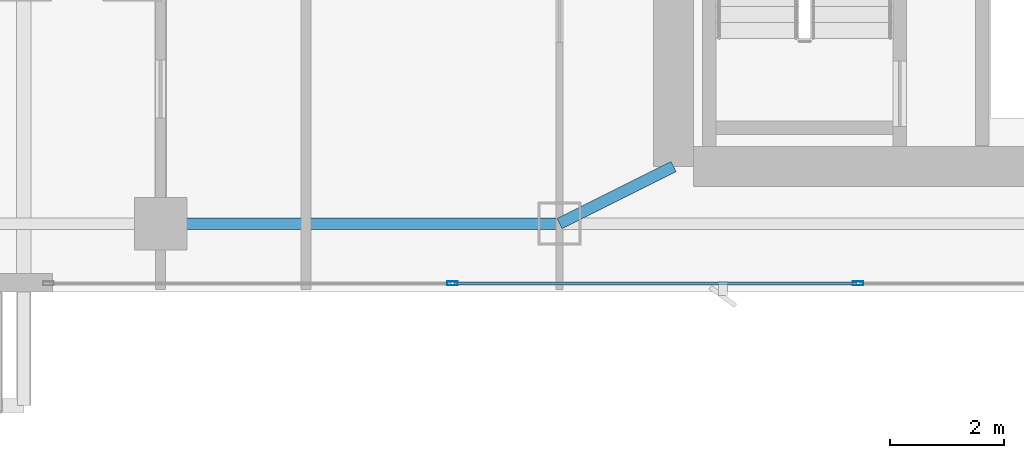
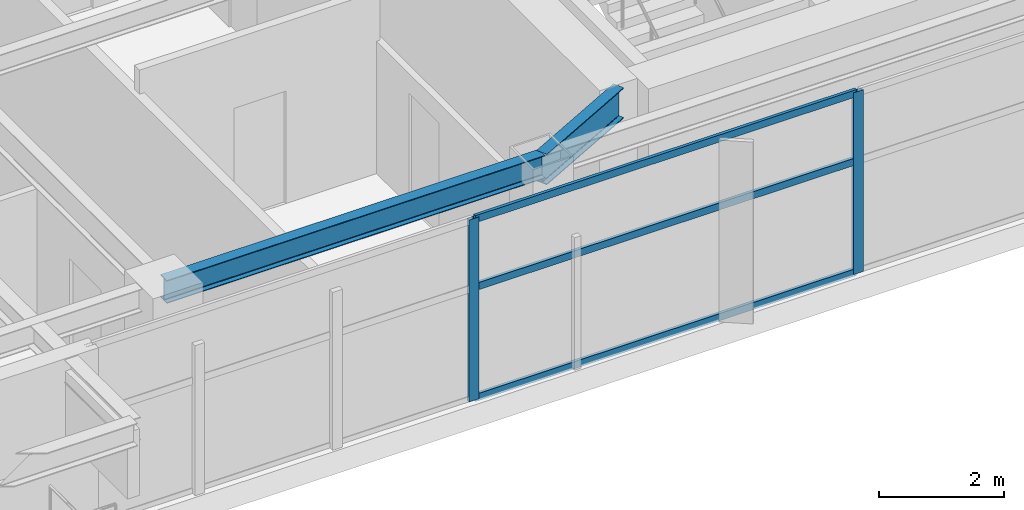
# One storey, part 6 of 28: 5 members, 2 beams, 1 element without a shape of its own.
"""IFC4 building model written with IfcOpenShell, lengths in metres."""

from ifc_helpers import new_model, si_unit, direction, frame, origin, origin_2d, place, context, subcontext, project, spatial, hollow_rectangle, i_section, extrude, material, layer, layer_set, material_profile, profile_set, type_object, element, aggregate, save


model = new_model("IFC4")

# Units and contexts
model_context = context("Model", 3, precision=1e-05, world=origin(), true_north=direction((0.0, 1.0)))
body_context = subcontext(model_context, "Body", "Model", "MODEL_VIEW")
ifc_project = project(units=[si_unit("LENGTHUNIT", "METRE"), si_unit("AREAUNIT", "SQUARE_METRE"), si_unit("VOLUMEUNIT", "CUBIC_METRE"), si_unit("PLANEANGLEUNIT", "RADIAN"), si_unit("MASSUNIT", "GRAM", prefix="KILO")], contexts=[model_context])

# Site, building, storey
site_placement = place(None, origin())
site = spatial("IfcSite", under=ifc_project, at=site_placement, CompositionType="ELEMENT")
building_placement = place(site_placement, origin())
building = spatial("IfcBuilding", under=site, at=building_placement, Name="Calvorn Quay Hotel", CompositionType="ELEMENT")
storey_placement = place(building_placement, frame((0.0, 0.0, 219.300048828125)))
storey = spatial("IfcBuildingStorey", under=building, at=storey_placement, Name="L54", CompositionType="ELEMENT", Elevation=219.300048828125)

# Beams
ifc_material_1 = material(Name="Steel Q355B", Category="steel")
ifc_material_profile_1 = material_profile(ifc_material_1, i_section(OverallWidth=0.199951171875, OverallDepth=0.60009765625, WebThickness=0.010986328125, FlangeThickness=0.01708984375, FilletRadius=0.01806640625, at=origin_2d()), Name="HN600x200x11x17")
ifc_profile_set_1 = profile_set([ifc_material_profile_1], Name="Steel Q355B")
beam_type_1 = type_object("IfcBeamType", Name="BM-GIRD-TYP", PredefinedType="BEAM", material=ifc_profile_set_1)
beam_1_placement = place(storey_placement, frame((19.60009765625, 3.60009765625, 3.239990234375), z_axis=(0.894427191, 0.4472135955, 0.0), x_axis=(-0.4472135955, 0.894427191, 0.0)))
element("IfcBeam", 1, at=beam_1_placement, inside=storey, type_object=beam_type_1, Name="Beam BG-L54-S2", PredefinedType="BEAM", context=body_context, shape_type="SweptSolid", body=[
    extrude(i_section(OverallWidth=0.199951171875, OverallDepth=0.60009765625, WebThickness=0.010986328125, FlangeThickness=0.01708984375, FilletRadius=0.01806640625, at=origin_2d()), origin(), (0.0, 0.0, 1.0), 2.236083984375),
])
ifc_material_2 = material(Name="Steel Q355B", Category="steel")
ifc_material_profile_2 = material_profile(ifc_material_2, i_section(OverallWidth=0.199951171875, OverallDepth=0.449951171875, WebThickness=0.009033203125, FlangeThickness=0.013916015625, FilletRadius=0.01611328125, at=origin_2d()), Name="HN450x200x9x14")
ifc_profile_set_2 = profile_set([ifc_material_profile_2], Name="Steel Q355B")
beam_type_2 = type_object("IfcBeamType", Name="BM-SPANDREL-Z3", PredefinedType="SPANDREL", material=ifc_profile_set_2)
beam_2_placement = place(storey_placement, frame((12.60009765625, 3.60009765625, 3.31494140625), z_axis=(1.0, 0.0, 0.0), x_axis=(0.0, 1.0, 0.0)))
element("IfcBeam", 2, at=beam_2_placement, inside=storey, type_object=beam_type_2, Name="Beam BSP-L54-S2", PredefinedType="SPANDREL", context=body_context, shape_type="SweptSolid", body=[
    extrude(i_section(OverallWidth=0.199951171875, OverallDepth=0.449951171875, WebThickness=0.009033203125, FlangeThickness=0.013916015625, FilletRadius=0.01611328125, at=origin_2d()), origin(), (0.0, 0.0, 1.0), 7.0),
])

# Curtain wall, members
ifc_material_3 = material(Name="Champagne Bronze Anodised Aluminium and Low-E Glass", Category="aluminium")
ifc_layer = layer(ifc_material_3, 0.219970703125)
ifc_layer_set = layer_set([ifc_layer], Name="CW-SYS-Z3")
curtain_wall_type = type_object("IfcCurtainWallType", Name="CW-SYS-Z3", PredefinedType="NOTDEFINED", material=ifc_layer_set)
curtain_wall_placement = place(storey_placement, origin())
curtain_wall = element("IfcCurtainWall", 3, at=curtain_wall_placement, inside=storey, type_object=curtain_wall_type, Name="Tower South Waterfront Curtain Wall (L54)", PredefinedType="NOTDEFINED")
ifc_material_4 = material(Name="Champagne Bronze Anodised Aluminium 6063-T6", Category="aluminium")
ifc_material_profile_3 = material_profile(ifc_material_4, hollow_rectangle(XDim=0.068115234375, YDim=0.18505859375, WallThickness=0.00390625, at=origin_2d()), Name="ALU-M185x68x4")
ifc_profile_set_3 = profile_set([ifc_material_profile_3], Name="Champagne Bronze Anodised Aluminium 6063-T6")
member_type_1 = type_object("IfcMemberType", Name="CW-SYS-Z3-MUL", PredefinedType="MULLION", material=ifc_profile_set_3)
member_1_placement = place(storey_placement, frame((17.719970703125, 2.550048828125, 0.0), z_axis=(0.0, 0.0, 1.0), x_axis=(0.0, 1.0, 0.0)))
member_1 = element("IfcMember", 4, at=member_1_placement, type_object=member_type_1, Name="CW-L54-S mullion 2", PredefinedType="MULLION", context=body_context, shape_type="SweptSolid", body=[
    extrude(hollow_rectangle(XDim=0.068115234375, YDim=0.18505859375, WallThickness=0.00390625, at=origin_2d()), origin(), (0.0, 0.0, 1.0), 3.56005859375),
])
member_2_placement = place(storey_placement, frame((24.840087890625, 2.550048828125, 0.0), z_axis=(0.0, 0.0, 1.0), x_axis=(0.0, 1.0, 0.0)))
member_2 = element("IfcMember", 5, at=member_2_placement, type_object=member_type_1, Name="CW-L54-S mullion 3", PredefinedType="MULLION", context=body_context, shape_type="SweptSolid", body=[
    extrude(hollow_rectangle(XDim=0.068115234375, YDim=0.18505859375, WallThickness=0.00390625, at=origin_2d()), origin(), (0.0, 0.0, 1.0), 3.56005859375),
])
ifc_material_5 = material(Name="Champagne Bronze Anodised Aluminium 6063-T6", Category="aluminium")
ifc_material_profile_4 = material_profile(ifc_material_5, hollow_rectangle(XDim=0.05810546875, YDim=0.139892578125, WallThickness=0.003173828125, at=origin_2d()), Name="ALU-T140x58x3.2")
ifc_profile_set_4 = profile_set([ifc_material_profile_4], Name="Champagne Bronze Anodised Aluminium 6063-T6")
member_type_2 = type_object("IfcMemberType", Name="CW-SYS-Z3-TRN", PredefinedType="USERDEFINED", material=ifc_profile_set_4)
member_3_placement = place(storey_placement, frame((17.75, 2.550048828125, 0.030029296875), z_axis=(1.0, 0.0, 0.0), x_axis=(0.0, 1.0, 0.0)))
member_3 = element("IfcMember", 6, at=member_3_placement, type_object=member_type_2, Name="CW-L54-S transom 2.1", ObjectType="TRANSOM", PredefinedType="USERDEFINED", context=body_context, shape_type="SweptSolid", body=[
    extrude(hollow_rectangle(XDim=0.05810546875, YDim=0.139892578125, WallThickness=0.003173828125, at=origin_2d()), origin(), (0.0, 0.0, 1.0), 7.06005859375),
])
member_4_placement = place(storey_placement, frame((17.75, 2.550048828125, 2.199951171875), z_axis=(1.0, 0.0, 0.0), x_axis=(0.0, 1.0, 0.0)))
member_4 = element("IfcMember", 7, at=member_4_placement, type_object=member_type_2, Name="CW-L54-S transom 2.2", ObjectType="TRANSOM", PredefinedType="USERDEFINED", context=body_context, shape_type="SweptSolid", body=[
    extrude(hollow_rectangle(XDim=0.05810546875, YDim=0.139892578125, WallThickness=0.003173828125, at=origin_2d()), origin(), (0.0, 0.0, 1.0), 7.06005859375),
])
member_5_placement = place(storey_placement, frame((17.75, 2.550048828125, 3.530029296875), z_axis=(1.0, 0.0, 0.0), x_axis=(0.0, 1.0, 0.0)))
member_5 = element("IfcMember", 8, at=member_5_placement, type_object=member_type_2, Name="CW-L54-S transom 2.3", ObjectType="TRANSOM", PredefinedType="USERDEFINED", context=body_context, shape_type="SweptSolid", body=[
    extrude(hollow_rectangle(XDim=0.05810546875, YDim=0.139892578125, WallThickness=0.003173828125, at=origin_2d()), origin(), (0.0, 0.0, 1.0), 7.06005859375),
])
aggregate(curtain_wall, [member_1, member_2, member_3, member_4, member_5])

save(model, "model.ifc")
